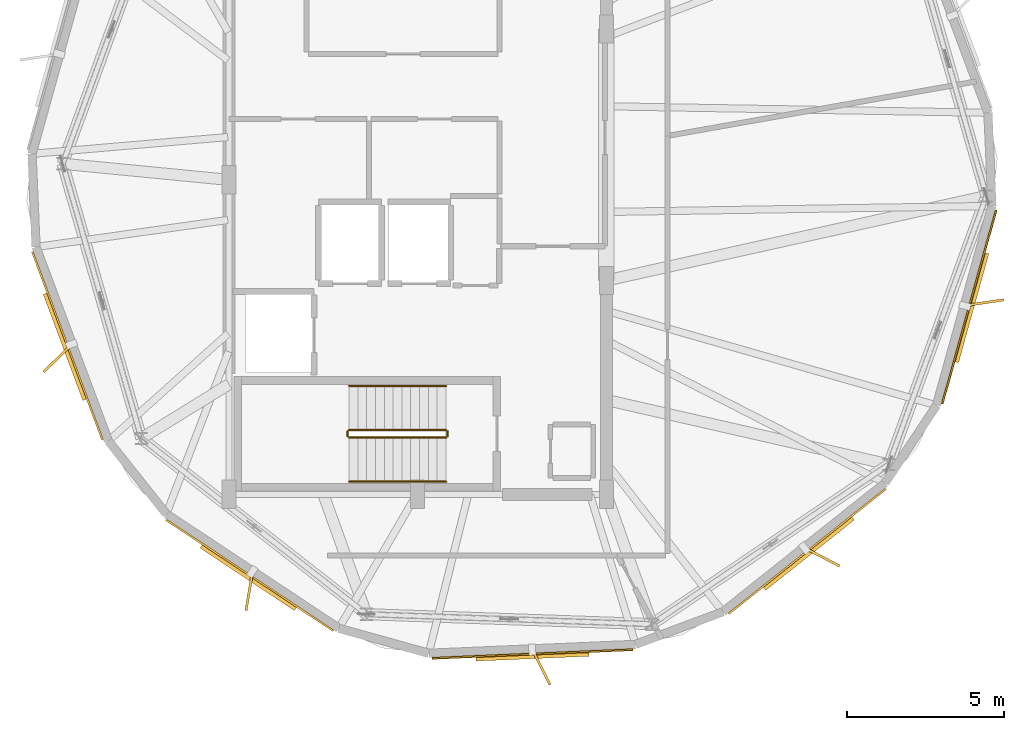
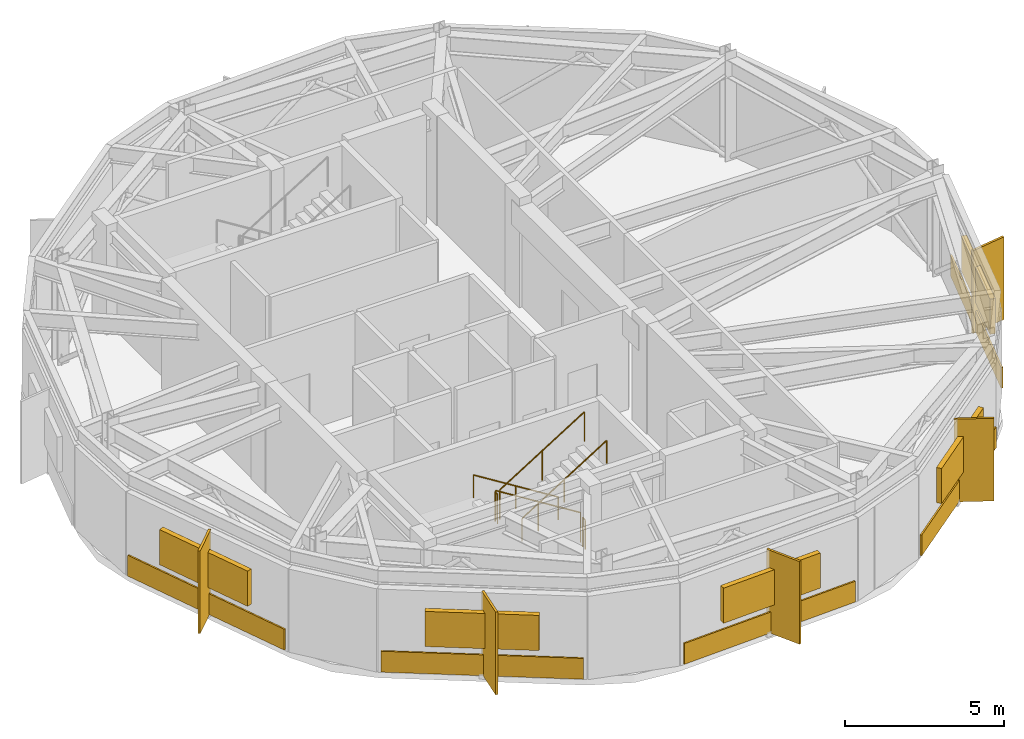
# One storey, part 5 of 6: 10 shading devices, 6 railings, 5 coverings.
"""IFC4 building model written with IfcOpenShell, lengths in metres."""

import ifcopenshell
import ifcopenshell.guid

model = None  # the IFC model being written
_history = None  # IfcOwnerHistory: only IFC2X3 demands one
_inside = {}  # id of a spatial element -> (the spatial element, [elements in it])
_under = {}  # id of a project, library or spatial element -> (it, [spatial elements below it])
_declared = {}  # id of a project -> (the project, [libraries it declares])
_typed = {}  # id of a type object -> (the type object, [elements of that type])
_made_of = {}  # id of a material, layer set ... -> (it, [elements and type objects made of it])


def new_model(schema):
    """Start an empty IFC model of exactly this schema.

    Asked for "IFC4X3", IfcOpenShell would pick the latest addendum, in which some entities
    have other attributes; the version numbers below select the first issue.
    IFC2X3 requires an IfcOwnerHistory on every rooted entity: one is made here for all.
    """
    global model, _history
    if schema == "IFC4X3":
        model = ifcopenshell.file(schema_version=(4, 3, 0, 0))
    else:
        model = ifcopenshell.file(schema=schema)
    _inside.clear()
    _under.clear()
    _declared.clear()
    _typed.clear()
    _made_of.clear()
    _history = None
    if model.schema == "IFC2X3":
        org = make("IfcOrganization", Name="unknown")
        user = make(
            "IfcPersonAndOrganization",
            ThePerson=make("IfcPerson", FamilyName="unknown"),
            TheOrganization=org,
        )
        app = make(
            "IfcApplication",
            ApplicationDeveloper=org,
            Version="unknown",
            ApplicationFullName="unknown",
            ApplicationIdentifier="unknown",
        )
        _history = make(
            "IfcOwnerHistory",
            OwningUser=user,
            OwningApplication=app,
            ChangeAction="ADDED",
            CreationDate=0,
        )
    return model


def make(cls, **values):
    """One entity of the class cls with the attributes given. An attribute that is None is left unset."""
    return model.create_entity(
        cls, **{name: value for name, value in values.items() if value is not None}
    )


def rooted(cls, **values):
    """An entity with a GlobalId (a new one), such as an element, a storey or a relation."""
    return make(cls, GlobalId=ifcopenshell.guid.new(), OwnerHistory=_history, **values)


def si_unit(unit_type, name, prefix=None):
    """IfcSIUnit, for example si_unit("LENGTHUNIT", "METRE", prefix="MILLI")."""
    return make("IfcSIUnit", UnitType=unit_type, Prefix=prefix, Name=name)


def assignment(units):
    """IfcUnitAssignment: the units of a project."""
    return None if units is None else make("IfcUnitAssignment", Units=units)


def point(xyz):
    """IfcCartesianPoint."""
    return None if xyz is None else make("IfcCartesianPoint", Coordinates=xyz)


def direction(xyz):
    """IfcDirection."""
    return None if xyz is None else make("IfcDirection", DirectionRatios=xyz)


def frame(location, z_axis=None, x_axis=None):
    """IfcAxis2Placement3D, a coordinate frame: its origin and axes. An axis left out is left unset."""
    return make(
        "IfcAxis2Placement3D",
        Location=point(location),
        Axis=direction(z_axis),
        RefDirection=direction(x_axis),
    )


def frame_2d(location, x_axis=None):
    """IfcAxis2Placement2D, a coordinate frame in the plane: its origin and x axis."""
    return make(
        "IfcAxis2Placement2D", Location=point(location), RefDirection=direction(x_axis)
    )


def origin():
    """The frame at (0, 0, 0) with its axes left unset."""
    return frame((0.0, 0.0, 0.0))


def origin_2d():
    """The frame at (0, 0) in the plane with its x axis left unset."""
    return frame_2d((0.0, 0.0))


def place(relative_to, where):
    """IfcLocalPlacement: puts the frame where relative to a parent placement (None: the world)."""
    return make(
        "IfcLocalPlacement", PlacementRelTo=relative_to, RelativePlacement=where
    )


def context(
    kind, dimensions, precision=None, world=None, true_north=None, identifier=None
):
    """IfcGeometricRepresentationContext, for example the 3D "Model" context."""
    return make(
        "IfcGeometricRepresentationContext",
        ContextIdentifier=identifier,
        ContextType=kind,
        CoordinateSpaceDimension=dimensions,
        Precision=precision,
        WorldCoordinateSystem=world,
        TrueNorth=true_north,
    )


def subcontext(parent, identifier, kind, view, scale=None):
    """IfcGeometricRepresentationSubContext, for example "Body" below "Model"."""
    return make(
        "IfcGeometricRepresentationSubContext",
        ContextIdentifier=identifier,
        ContextType=kind,
        ParentContext=parent,
        TargetScale=scale,
        TargetView=view,
    )


def project(units=None, contexts=None):
    """IfcProject with its units and contexts."""
    return rooted(
        "IfcProject",
        Name="project",
        RepresentationContexts=contexts,
        UnitsInContext=assignment(units),
    )


def spatial(cls, under=None, at=None, **own):
    """A site, building, storey or space (cls), placed at a placement, below another one or the project."""
    s = rooted(cls, ObjectPlacement=at, **own)
    if under is not None:
        _under.setdefault(under.id(), (under, []))[1].append(s)
    return s


def profile(cls, at=None, kind="AREA", **sizes):
    """A parametric profile (cls). Its sizes go by their IFC names, for example OverallWidth=200.0."""
    return make(cls, ProfileType=kind, Position=at, **sizes)


def rectangle(**sizes):
    """IfcRectangleProfileDef."""
    return profile("IfcRectangleProfileDef", **sizes)


def circle(**sizes):
    """IfcCircleProfileDef."""
    return profile("IfcCircleProfileDef", **sizes)


def extrude(swept, where, along, depth):
    """IfcExtrudedAreaSolid: the profile swept, set in the frame where, extruded along a direction by depth."""
    return make(
        "IfcExtrudedAreaSolid",
        SweptArea=swept,
        Position=where,
        ExtrudedDirection=direction(along),
        Depth=depth,
    )


def shape(context_of_items, identifier, shape_type, items):
    """IfcShapeRepresentation: the items that make up one representation, for example the "Body"."""
    return make(
        "IfcShapeRepresentation",
        ContextOfItems=context_of_items,
        RepresentationIdentifier=identifier,
        RepresentationType=shape_type,
        Items=items,
    )


def material(Name=None, Category=None):
    """IfcMaterial."""
    return make("IfcMaterial", Name=Name, Category=Category)


def layer(
    of_material, thickness, ventilated=None, Name=None, Category=None, Priority=None
):
    """IfcMaterialLayer: one layer of a wall or slab, of a material (None: an air gap)."""
    return make(
        "IfcMaterialLayer",
        Material=of_material,
        LayerThickness=thickness,
        IsVentilated=ventilated,
        Name=Name,
        Category=Category,
        Priority=Priority,
    )


def layer_set(layers, Name=None):
    """IfcMaterialLayerSet."""
    return make("IfcMaterialLayerSet", MaterialLayers=layers, LayerSetName=Name)


def made_of(thing, what):
    """Note that an element or type object is made of a material, layer set ...; save() writes the relation."""
    if what is not None:
        _made_of.setdefault(what.id(), (what, []))[1].append(thing)
    return thing


def type_object(cls, material=None, **own):
    """A type object (cls), such as IfcWallType, which elements share."""
    return made_of(rooted(cls, **own), material)


def element(
    cls,
    number,
    at=None,
    inside=None,
    cuts=None,
    type_object=None,
    material=None,
    context=None,
    identifier="Body",
    shape_type=None,
    held_by="IfcProductDefinitionShape",
    body=None,
    shapes=None,
    **own,
):
    """One element of the class cls, such as IfcWall. Its Tag is "e" and its number.

    at: its placement. inside: the storey or other place that contains it. cuts: it is an
    opening in that element (IfcRelVoidsElement). A single representation is given by context,
    identifier, shape_type and body (its items); several are given by shapes. held_by: the class
    of the entity that holds the representations. save() writes the other relations.
    """
    e = rooted(cls, Tag="e%d" % number, ObjectPlacement=at, **own)
    if body is not None:
        shapes = [shape(context, identifier, shape_type, body)]
    if shapes is not None:
        e.Representation = make(held_by, Representations=shapes)
    if inside is not None:
        _inside.setdefault(inside.id(), (inside, []))[1].append(e)
    if cuts is not None:
        rooted(
            "IfcRelVoidsElement", RelatingBuildingElement=cuts, RelatedOpeningElement=e
        )
    if type_object is not None:
        _typed.setdefault(type_object.id(), (type_object, []))[1].append(e)
    return made_of(e, material)


def aggregate(whole, parts):
    """IfcRelAggregates: a whole, such as a stair, and the parts it consists of."""
    return rooted("IfcRelAggregates", RelatingObject=whole, RelatedObjects=parts)


def save(model, path):
    """Write the relations noted so far, then the file.

    IfcRelAggregates (storeys below a building ...), IfcRelContainedInSpatialStructure (elements
    in a storey), IfcRelDefinesByType, IfcRelAssociatesMaterial and IfcRelDeclares: one each for
    every whole, place, type object, material and project.
    """
    for whole, parts in _under.values():
        aggregate(whole, parts)
    for where, things in _inside.values():
        rooted(
            "IfcRelContainedInSpatialStructure",
            RelatedElements=things,
            RelatingStructure=where,
        )
    for kind, things in _typed.values():
        rooted("IfcRelDefinesByType", RelatedObjects=things, RelatingType=kind)
    for what, things in _made_of.values():
        rooted("IfcRelAssociatesMaterial", RelatedObjects=things, RelatingMaterial=what)
    for by, libraries in _declared.values():
        rooted("IfcRelDeclares", RelatingContext=by, RelatedDefinitions=libraries)
    model.write(path)


model = new_model("IFC4")

# Units and contexts
model_context = context("Model", 3, precision=1e-05, world=origin(), true_north=direction((0.0, 1.0)))
body_context = subcontext(model_context, "Body", "Model", "MODEL_VIEW")
ifc_project = project(units=[si_unit("LENGTHUNIT", "METRE"), si_unit("AREAUNIT", "SQUARE_METRE"), si_unit("VOLUMEUNIT", "CUBIC_METRE"), si_unit("PLANEANGLEUNIT", "RADIAN"), si_unit("MASSUNIT", "GRAM", prefix="KILO")], contexts=[model_context])

# Site, building, storey
site_placement = place(None, origin())
site = spatial("IfcSite", under=ifc_project, at=site_placement, CompositionType="ELEMENT")
building_placement = place(site_placement, origin())
building = spatial("IfcBuilding", under=site, at=building_placement, Name="Soratama Intermodal Tower", CompositionType="ELEMENT")
storey_placement = place(building_placement, frame((0.0, 0.0, 309.85009765625)))
storey = spatial("IfcBuildingStorey", under=building, at=storey_placement, Name="L78", CompositionType="ELEMENT", Elevation=309.85009765625)

# Coverings
ifc_material_1 = material(Name="Honed Andean limestone cladding", Category="masonry")
ifc_layer_1 = layer(ifc_material_1, 0.06005859375)
ifc_layer_set_1 = layer_set([ifc_layer_1], Name="Honed Andean limestone cladding")
covering_type = type_object("IfcCoveringType", Name="CV-STONE-CLAD", PredefinedType="CLADDING", material=ifc_layer_set_1)
covering_placement = place(storey_placement, frame((27.46044921875, 19.724609375, 0.0498046875), z_axis=(0.0, 0.0, 1.0), x_axis=(0.349553375421, -0.936916451842, 0.0)))
element("IfcCovering", 1, at=covering_placement, inside=storey, type_object=covering_type, Name="L78 Stone Cladding F04", PredefinedType="CLADDING", context=body_context, shape_type="SweptSolid", body=[
    extrude(rectangle(XDim=6.384033203125, YDim=0.06005859375, at=origin_2d()), origin(), (0.0, 0.0, 1.0), 0.800048828125),
])
for number, where, z_axis, x_axis, name in (
    (2, (33.26171875, 12.421142578125, 0.0498046875), (0.0, 0.0, 1.0), (0.833500294179, -0.552519012888, 0.0), "L78 Stone Cladding F05"),
    (3, (42.247802734375, 9.92236328125, 0.0498046875), (0.0, 0.0, 1.0), (0.999078430194, 0.042921909558, 0.0), "L78 Stone Cladding F06"),
    (4, (50.986572265625, 13.1826171875, 0.0498046875), (0.0, 0.0, 1.0), (0.783042563302, 0.621968121415, 0.0), "L78 Stone Cladding F07"),
    (5, (56.139892578125, 20.956787109375, 0.0498046875), (0.0, 0.0, 1.0), (0.267911051866, 0.963443650811, 0.0), "L78 Stone Cladding F08"),
):
    element("IfcCovering", number, at=place(storey_placement, frame(where, z_axis=z_axis, x_axis=x_axis)), inside=storey, type_object=covering_type, Name=name, PredefinedType="CLADDING", context=body_context, shape_type="SweptSolid", body=[
        extrude(rectangle(XDim=6.3837890625, YDim=0.06005859375, at=origin_2d()), origin(), (0.0, 0.0, 1.0), 0.800048828125),
    ])

# Railings
ifc_material_2 = material(Name="Painted steel stair guardrail", Category="steel")
railing_type_1 = type_object("IfcRailingType", Name="RL-STAIR-GUARD", PredefinedType="GUARDRAIL", material=ifc_material_2)
railing_1_placement = place(storey_placement, frame((39.5, 17.050048828125, 0.1748046875)))
element("IfcRailing", 6, at=railing_1_placement, inside=storey, type_object=railing_type_1, Name="L78 ST-1 stair guard 1", PredefinedType="GUARDRAIL", context=body_context, shape_type="SweptSolid", body=[
    extrude(circle(Radius=0.02392578125, at=origin_2d()), frame((0.0, 0.0, 1.1259765625), z_axis=(-0.847998304005, 0.0, 0.529998940003), x_axis=(0.0, -1.0, 0.0)), (0.0, 0.0, 1.0), 3.632080078125),
    extrude(circle(Radius=0.02099609375, at=origin_2d()), origin(), (0.0, 0.0, 1.0), 1.101806640625),
    extrude(circle(Radius=0.02099609375, at=origin_2d()), frame((-1.5400390625, 0.0, 0.96240234375)), (0.0, 0.0, 1.0), 1.101806640625),
    extrude(circle(Radius=0.02099609375, at=origin_2d()), frame((-3.080078125, 0.0, 1.925048828125)), (0.0, 0.0, 1.0), 1.101806640625),
])
railing_2_placement = place(storey_placement, frame((36.3701171875, 17.0, 2.099853515625)))
element("IfcRailing", 7, at=railing_2_placement, inside=storey, type_object=railing_type_1, Name="L78 ST-1 stair guard 2", PredefinedType="GUARDRAIL", context=body_context, shape_type="SweptSolid", body=[
    extrude(circle(Radius=0.02392578125, at=origin_2d()), frame((0.0, 0.0, 1.1259765625), z_axis=(0.0, -1.0, 0.0), x_axis=(1.0, 0.0, 0.0)), (0.0, 0.0, 1.0), 0.14990234375),
    extrude(circle(Radius=0.02099609375, at=origin_2d()), origin(), (0.0, 0.0, 1.0), 1.101806640625),
    extrude(circle(Radius=0.02099609375, at=origin_2d()), frame((0.0, -0.14990234375, 0.0)), (0.0, 0.0, 1.0), 1.101806640625),
])
railing_3_placement = place(storey_placement, frame((36.419921875, 16.800048828125, 2.27490234375)))
element("IfcRailing", 8, at=railing_3_placement, inside=storey, type_object=railing_type_1, Name="L78 ST-1 stair guard 3", PredefinedType="GUARDRAIL", context=body_context, shape_type="SweptSolid", body=[
    extrude(circle(Radius=0.02392578125, at=origin_2d()), frame((0.0, 0.0, 1.1259765625), z_axis=(0.847998304005, 0.0, 0.529998940003), x_axis=(0.0, 1.0, 0.0)), (0.0, 0.0, 1.0), 3.632080078125),
    extrude(circle(Radius=0.02099609375, at=origin_2d()), origin(), (0.0, 0.0, 1.0), 1.101806640625),
    extrude(circle(Radius=0.02099609375, at=origin_2d()), frame((1.5400390625, 0.0, 0.96240234375)), (0.0, 0.0, 1.0), 1.101806640625),
    extrude(circle(Radius=0.02099609375, at=origin_2d()), frame((3.080078125, 0.0, 1.925048828125)), (0.0, 0.0, 1.0), 1.101806640625),
])
railing_4_placement = place(storey_placement, frame((39.550048828125, 17.0, 0.0)))
element("IfcRailing", 9, at=railing_4_placement, inside=storey, type_object=railing_type_1, Name="L78 ST-1 stair guard 4", PredefinedType="GUARDRAIL", context=body_context, shape_type="SweptSolid", body=[
    extrude(circle(Radius=0.02392578125, at=origin_2d()), frame((0.0, 0.0, 1.1259765625), z_axis=(0.0, -1.0, 0.0), x_axis=(1.0, 0.0, 0.0)), (0.0, 0.0, 1.0), 0.14990234375),
    extrude(circle(Radius=0.02099609375, at=origin_2d()), origin(), (0.0, 0.0, 1.0), 1.101806640625),
    extrude(circle(Radius=0.02099609375, at=origin_2d()), frame((0.0, -0.14990234375, 0.0)), (0.0, 0.0, 1.0), 1.101806640625),
])
ifc_material_3 = material(Name="Brushed stainless steel handrail", Category="steel")
railing_type_2 = type_object("IfcRailingType", Name="RL-STAIR-HAND", PredefinedType="HANDRAIL", material=ifc_material_3)
railing_5_placement = place(storey_placement, frame((39.5, 18.449951171875, 0.1748046875)))
element("IfcRailing", 10, at=railing_5_placement, inside=storey, type_object=railing_type_2, Name="L78 ST-1 stair handrail 1", PredefinedType="HANDRAIL", context=body_context, shape_type="SweptSolid", body=[
    extrude(circle(Radius=0.02392578125, at=origin_2d()), frame((0.0, 0.0, 0.8759765625), z_axis=(-0.847998304005, 0.0, 0.529998940003), x_axis=(0.0, -1.0, 0.0)), (0.0, 0.0, 1.0), 3.632080078125),
    extrude(circle(Radius=0.02099609375, at=origin_2d()), origin(), (0.0, 0.0, 1.0), 0.851806640625),
    extrude(circle(Radius=0.02099609375, at=origin_2d()), frame((-1.5400390625, 0.0, 0.96240234375)), (0.0, 0.0, 1.0), 0.851806640625),
    extrude(circle(Radius=0.02099609375, at=origin_2d()), frame((-3.080078125, 0.0, 1.925048828125)), (0.0, 0.0, 1.0), 0.851806640625),
])
railing_6_placement = place(storey_placement, frame((36.419921875, 15.39990234375, 2.27490234375)))
element("IfcRailing", 11, at=railing_6_placement, inside=storey, type_object=railing_type_2, Name="L78 ST-1 stair handrail 2", PredefinedType="HANDRAIL", context=body_context, shape_type="SweptSolid", body=[
    extrude(circle(Radius=0.02392578125, at=origin_2d()), frame((0.0, 0.0, 0.8759765625), z_axis=(0.847998304005, 0.0, 0.529998940003), x_axis=(0.0, 1.0, 0.0)), (0.0, 0.0, 1.0), 3.632080078125),
    extrude(circle(Radius=0.02099609375, at=origin_2d()), origin(), (0.0, 0.0, 1.0), 0.851806640625),
    extrude(circle(Radius=0.02099609375, at=origin_2d()), frame((1.5400390625, 0.0, 0.96240234375)), (0.0, 0.0, 1.0), 0.851806640625),
    extrude(circle(Radius=0.02099609375, at=origin_2d()), frame((3.080078125, 0.0, 1.925048828125)), (0.0, 0.0, 1.0), 0.851806640625),
])

# Shading devices
ifc_material_4 = material(Name="Champagne anodised aluminium solar fin", Category="aluminium")
ifc_layer_2 = layer(ifc_material_4, 0.080078125)
ifc_layer_set_2 = layer_set([ifc_layer_2], Name="Champagne anodised aluminium solar fin")
shading_device_type_1 = type_object("IfcShadingDeviceType", Name="SH-FIN-1250", PredefinedType="USERDEFINED", material=ifc_layer_set_2)
for number, where, z_axis, x_axis, name in (
    (12, (27.14990234375, 19.328857421875, 0.02001953125), (0.0, 0.0, 1.0), (-0.713739602276, -0.700411150784, 0.0), "L78 Solar Fin F04-1"),
    (13, (33.2431640625, 11.91845703125, 0.02001953125), (0.0, 0.0, 1.0), (-0.165736122828, -0.986170136229, 0.0), "L78 Solar Fin F05-1"),
    (14, (42.5283203125, 9.5048828125, 0.02001953125), (0.0, 0.0, 1.0), (0.445572922377, -0.895245648325, 0.0), "L78 Solar Fin F06-1"),
    (15, (51.458984375, 13.009765625, 0.02001953125), (0.0, 0.0, 1.0), (0.886688255701, -0.462367751041, 0.0), "L78 Solar Fin F07-1"),
    (16, (56.623779296875, 21.094482421875, 0.02001953125), (0.0, 0.0, 1.0), (0.989118812772, 0.147118911839, 0.0), "L78 Solar Fin F08-1"),
):
    element("IfcShadingDevice", number, at=place(storey_placement, frame(where, z_axis=z_axis, x_axis=x_axis)), inside=storey, type_object=shading_device_type_1, Name=name, ObjectType="FIN", PredefinedType="USERDEFINED", context=body_context, shape_type="SweptSolid", body=[
        extrude(rectangle(XDim=1.25, YDim=0.080078125, at=origin_2d()), origin(), (0.0, 0.0, 1.0), 3.175048828125),
    ])
ifc_material_5 = material(Name="Anodised aluminium weather louvre", Category="aluminium")
ifc_layer_3 = layer(ifc_material_5, 0.1201171875)
ifc_layer_set_3 = layer_set([ifc_layer_3], Name="Anodised aluminium weather louvre")
shading_device_type_2 = type_object("IfcShadingDeviceType", Name="SH-LOUVRE-PLANT", PredefinedType="JALOUSIE", material=ifc_layer_set_3)
for number, where, z_axis, x_axis, name in (
    (17, (27.404296875, 19.70361328125, 1.1748046875), (0.0, 0.0, 1.0), (0.349553375421, -0.936916451842, 0.0), "L78 Acoustic Louvre F04"),
    (18, (33.228515625, 12.37109375, 1.1748046875), (0.0, 0.0, 1.0), (0.833500294179, -0.552519012888, 0.0), "L78 Acoustic Louvre F05"),
    (19, (42.250244140625, 9.8623046875, 1.1748046875), (0.0, 0.0, 1.0), (0.999078430194, 0.042921909558, 0.0), "L78 Acoustic Louvre F06"),
    (20, (51.023681640625, 13.135498046875, 1.1748046875), (0.0, 0.0, 1.0), (0.783042563302, 0.621968121415, 0.0), "L78 Acoustic Louvre F07"),
    (21, (56.19775390625, 20.94091796875, 1.1748046875), (0.0, 0.0, 1.0), (0.267911051866, 0.963443650811, 0.0), "L78 Acoustic Louvre F08"),
):
    element("IfcShadingDevice", number, at=place(storey_placement, frame(where, z_axis=z_axis, x_axis=x_axis)), inside=storey, type_object=shading_device_type_2, Name=name, PredefinedType="JALOUSIE", context=body_context, shape_type="SweptSolid", body=[
        extrude(rectangle(XDim=3.60009765625, YDim=0.179931640625, at=origin_2d()), origin(), (0.0, 0.0, 1.0), 1.35009765625),
    ])

save(model, "model.ifc")
